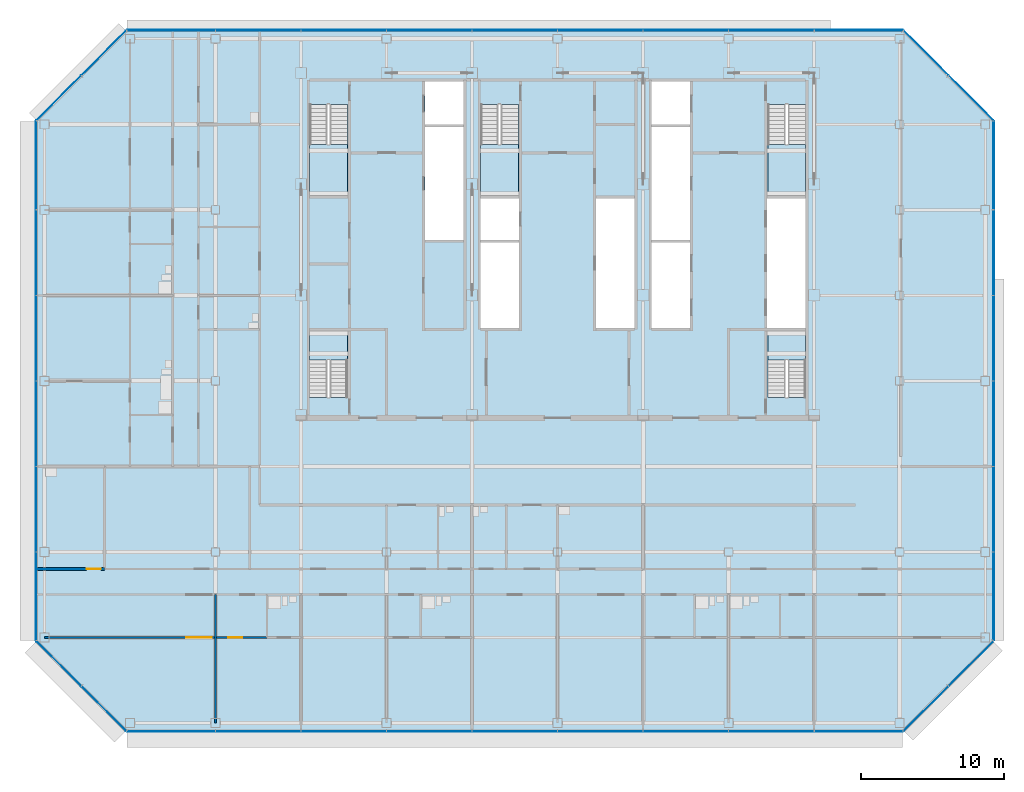
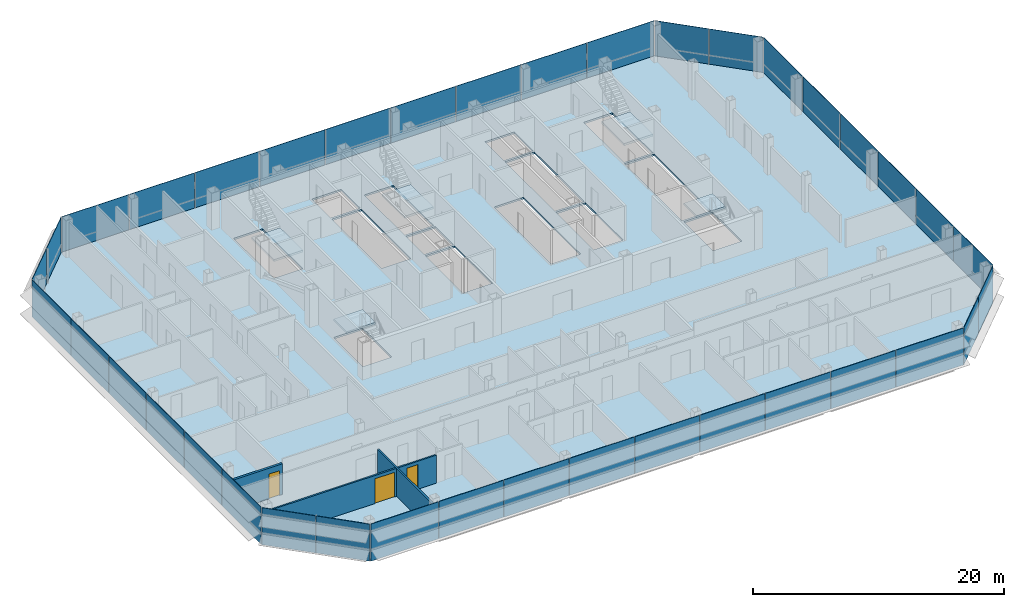
# One storey, part 19 of 27: 38 plates, 6 slabs, 3 doors, 3 walls, 3 openings, 13 elements without a shape of their own.
"""IFC4 building model written with IfcOpenShell, lengths in metres."""

from ifc_helpers import new_model, si_unit, direction, frame, frame_2d, origin, origin_2d, place, context, subcontext, project, spatial, polyline, rectangle, outline, extrude, material, layer, layer_set, type_object, element, fill, aggregate, save


model = new_model("IFC4")

# Units and contexts
model_context = context("Model", 3, precision=1e-05, world=origin(), true_north=direction((0.0, 1.0)))
body_context = subcontext(model_context, "Body", "Model", "MODEL_VIEW")
ifc_project = project(units=[si_unit("LENGTHUNIT", "METRE"), si_unit("AREAUNIT", "SQUARE_METRE"), si_unit("VOLUMEUNIT", "CUBIC_METRE"), si_unit("PLANEANGLEUNIT", "RADIAN"), si_unit("MASSUNIT", "GRAM", prefix="KILO")], contexts=[model_context])

# Site, building, storey
site_placement = place(None, origin())
site = spatial("IfcSite", under=ifc_project, at=site_placement, CompositionType="ELEMENT")
building_placement = place(site_placement, origin())
building = spatial("IfcBuilding", under=site, at=building_placement, Name="Sorahane Residences", CompositionType="ELEMENT")
storey_placement = place(building_placement, frame((0.0, 0.0, 202.800048828125)))
storey = spatial("IfcBuildingStorey", under=building, at=storey_placement, Name="L47", CompositionType="ELEMENT", Elevation=202.800048828125)

# Slab
ifc_material_1 = material(Name="Concrete C35", Category="concrete")
ifc_layer_1 = layer(ifc_material_1, 0.179931640625)
ifc_layer_set_1 = layer_set([ifc_layer_1], Name="Composite floor slab 180 mm Concrete C35")
slab_type_1 = type_object("IfcSlabType", Name="Composite floor slab 180 mm Concrete C35", PredefinedType="FLOOR", material=ifc_layer_set_1)
slab_1_placement = place(storey_placement, frame((0.0, 0.0, -0.179931640625)))
element("IfcSlab", 1, at=slab_1_placement, inside=storey, type_object=slab_type_1, Name="Slab L47", PredefinedType="FLOOR", context=body_context, shape_type="SweptSolid", body=[
    extrude(outline(polyline([(-6.24853515625, -0.60009765625), (-12.60009765625, 5.75146484375), (-12.60009765625, 42.24853515625), (-6.24853515625, 48.60009765625), (48.24853515625, 48.60009765625), (54.60009765625, 42.24853515625), (54.60009765625, 5.75146484375), (48.24853515625, -0.60009765625), (-6.24853515625, -0.60009765625)]), holes=[polyline([(18.60009765625, 27.699951171875), (21.300048828125, 27.699951171875), (21.300048828125, 33.699951171875), (18.60009765625, 33.699951171875), (18.60009765625, 27.699951171875)]), polyline([(38.699951171875, 27.699951171875), (41.39990234375, 27.699951171875), (41.39990234375, 36.800048828125), (38.699951171875, 36.800048828125), (38.699951171875, 27.699951171875)]), polyline([(30.60009765625, 27.699951171875), (33.300048828125, 27.699951171875), (33.300048828125, 33.699951171875), (30.60009765625, 33.699951171875), (30.60009765625, 27.699951171875)]), polyline([(30.60009765625, 42.0), (33.300048828125, 42.0), (33.300048828125, 45.0), (30.60009765625, 45.0), (30.60009765625, 42.0)]), polyline([(14.699951171875, 42.0), (17.39990234375, 42.0), (17.39990234375, 45.0), (14.699951171875, 45.0), (14.699951171875, 42.0)]), polyline([(6.60009765625, 43.39990234375), (6.60009765625, 37.0), (9.25, 37.0), (9.25, 43.39990234375), (6.60009765625, 43.39990234375)]), polyline([(38.75, 43.39990234375), (38.75, 37.0), (41.39990234375, 37.0), (41.39990234375, 43.39990234375), (38.75, 43.39990234375)]), polyline([(18.60009765625, 43.39990234375), (18.60009765625, 37.0), (21.25, 37.0), (21.25, 43.39990234375), (18.60009765625, 43.39990234375)]), polyline([(9.25, 22.85009765625), (9.25, 27.5), (6.60009765625, 27.5), (6.60009765625, 22.85009765625), (9.25, 22.85009765625)]), polyline([(41.39990234375, 22.85009765625), (41.39990234375, 27.5), (38.75, 27.5), (38.75, 22.85009765625), (41.39990234375, 22.85009765625)]), polyline([(14.699951171875, 33.89990234375), (17.39990234375, 33.89990234375), (17.39990234375, 41.800048828125), (14.699951171875, 41.800048828125), (14.699951171875, 33.89990234375)]), polyline([(30.60009765625, 33.89990234375), (33.300048828125, 33.89990234375), (33.300048828125, 41.800048828125), (30.60009765625, 41.800048828125), (30.60009765625, 33.89990234375)]), polyline([(18.60009765625, 33.89990234375), (21.300048828125, 33.89990234375), (21.300048828125, 36.800048828125), (18.60009765625, 36.800048828125), (18.60009765625, 33.89990234375)]), polyline([(26.699951171875, 27.699951171875), (29.39990234375, 27.699951171875), (29.39990234375, 36.800048828125), (26.699951171875, 36.800048828125), (26.699951171875, 27.699951171875)])]), origin(), (0.0, 0.0, 1.0), 0.179931640625),
])

# Curtain wall, plates
ifc_material_2 = material(Name="Dark low-e glass and black anodised aluminium", Category="aluminium")
curtain_wall_type_1 = type_object("IfcCurtainWallType", Name="Curtain wall CW-1 Typical unitised wall", PredefinedType="NOTDEFINED", material=ifc_material_2)
curtain_wall_1_placement = place(storey_placement, origin())
curtain_wall_1 = element("IfcCurtainWall", 2, at=curtain_wall_1_placement, inside=storey, type_object=curtain_wall_type_1, Name="CW-1 curtain wall L47 S1", PredefinedType="NOTDEFINED")
ifc_material_3 = material(Name="Dark low-e glass with black ceramic frit", Category="glass")
ifc_layer_2 = layer(ifc_material_3, 0.0400390625)
ifc_layer_set_2 = layer_set([ifc_layer_2], Name="Curtain wall glass panel dark low-e with black frit spandrel band")
plate_type = type_object("IfcPlateType", Name="Curtain wall glass panel dark low-e with black frit spandrel band", PredefinedType="CURTAIN_PANEL", material=ifc_layer_set_2)
plate_1_placement = place(storey_placement, frame((-3.11181640625, -0.60009765625, -0.18017578125), z_axis=(0.0, 0.0, 1.0), x_axis=(1.0, 0.0, 0.0)))
plate_1 = element("IfcPlate", 3, at=plate_1_placement, type_object=plate_type, Name="CW-1 glass panel L47 S1.1", PredefinedType="CURTAIN_PANEL", context=body_context, shape_type="SweptSolid", body=[
    extrude(rectangle(XDim=6.173583984375, YDim=0.0400390625, at=origin_2d()), origin(), (0.0, 0.0, 1.0), 3.60009765625),
])
plate_2_placement = place(storey_placement, frame((3.0, -0.60009765625, -0.18017578125), z_axis=(0.0, 0.0, 1.0), x_axis=(1.0, 0.0, 0.0)))
plate_2 = element("IfcPlate", 4, at=plate_2_placement, type_object=plate_type, Name="CW-1 glass panel L47 S1.2", PredefinedType="CURTAIN_PANEL", context=body_context, shape_type="SweptSolid", body=[
    extrude(rectangle(XDim=5.949951171875, YDim=0.0400390625, at=origin_2d()), origin(), (0.0, 0.0, 1.0), 3.60009765625),
])
plate_3_placement = place(storey_placement, frame((9.0, -0.60009765625, -0.18017578125), z_axis=(0.0, 0.0, 1.0), x_axis=(1.0, 0.0, 0.0)))
plate_3 = element("IfcPlate", 5, at=plate_3_placement, type_object=plate_type, Name="CW-1 glass panel L47 S1.3", PredefinedType="CURTAIN_PANEL", context=body_context, shape_type="SweptSolid", body=[
    extrude(rectangle(XDim=5.949951171875, YDim=0.0400390625, at=origin_2d()), origin(), (0.0, 0.0, 1.0), 3.60009765625),
])
plate_4_placement = place(storey_placement, frame((15.0, -0.60009765625, -0.18017578125), z_axis=(0.0, 0.0, 1.0), x_axis=(1.0, 0.0, 0.0)))
plate_4 = element("IfcPlate", 6, at=plate_4_placement, type_object=plate_type, Name="CW-1 glass panel L47 S1.4", PredefinedType="CURTAIN_PANEL", context=body_context, shape_type="SweptSolid", body=[
    extrude(rectangle(XDim=5.949951171875, YDim=0.0400390625, at=origin_2d()), origin(), (0.0, 0.0, 1.0), 3.60009765625),
])
plate_5_placement = place(storey_placement, frame((21.0, -0.60009765625, -0.18017578125), z_axis=(0.0, 0.0, 1.0), x_axis=(1.0, 0.0, 0.0)))
plate_5 = element("IfcPlate", 7, at=plate_5_placement, type_object=plate_type, Name="CW-1 glass panel L47 S1.5", PredefinedType="CURTAIN_PANEL", context=body_context, shape_type="SweptSolid", body=[
    extrude(rectangle(XDim=5.949951171875, YDim=0.0400390625, at=origin_2d()), origin(), (0.0, 0.0, 1.0), 3.60009765625),
])
plate_6_placement = place(storey_placement, frame((27.0, -0.60009765625, -0.18017578125), z_axis=(0.0, 0.0, 1.0), x_axis=(1.0, 0.0, 0.0)))
plate_6 = element("IfcPlate", 8, at=plate_6_placement, type_object=plate_type, Name="CW-1 glass panel L47 S1.6", PredefinedType="CURTAIN_PANEL", context=body_context, shape_type="SweptSolid", body=[
    extrude(rectangle(XDim=5.949951171875, YDim=0.0400390625, at=origin_2d()), origin(), (0.0, 0.0, 1.0), 3.60009765625),
])
plate_7_placement = place(storey_placement, frame((33.0, -0.60009765625, -0.18017578125), z_axis=(0.0, 0.0, 1.0), x_axis=(1.0, 0.0, 0.0)))
plate_7 = element("IfcPlate", 9, at=plate_7_placement, type_object=plate_type, Name="CW-1 glass panel L47 S1.7", PredefinedType="CURTAIN_PANEL", context=body_context, shape_type="SweptSolid", body=[
    extrude(rectangle(XDim=5.949951171875, YDim=0.0400390625, at=origin_2d()), origin(), (0.0, 0.0, 1.0), 3.60009765625),
])
plate_8_placement = place(storey_placement, frame((39.0, -0.60009765625, -0.18017578125), z_axis=(0.0, 0.0, 1.0), x_axis=(1.0, 0.0, 0.0)))
plate_8 = element("IfcPlate", 10, at=plate_8_placement, type_object=plate_type, Name="CW-1 glass panel L47 S1.8", PredefinedType="CURTAIN_PANEL", context=body_context, shape_type="SweptSolid", body=[
    extrude(rectangle(XDim=5.949951171875, YDim=0.0400390625, at=origin_2d()), origin(), (0.0, 0.0, 1.0), 3.60009765625),
])
plate_9_placement = place(storey_placement, frame((45.11181640625, -0.60009765625, -0.18017578125), z_axis=(0.0, 0.0, 1.0), x_axis=(1.0, 0.0, 0.0)))
plate_9 = element("IfcPlate", 11, at=plate_9_placement, type_object=plate_type, Name="CW-1 glass panel L47 S1.9", PredefinedType="CURTAIN_PANEL", context=body_context, shape_type="SweptSolid", body=[
    extrude(rectangle(XDim=6.173583984375, YDim=0.0400390625, at=origin_2d()), origin(), (0.0, 0.0, 1.0), 3.60009765625),
])
aggregate(curtain_wall_1, [plate_1, plate_2, plate_3, plate_4, plate_5, plate_6, plate_7, plate_8, plate_9])

ifc_material_4 = material(Name="Dark low-e glass and black anodised aluminium", Category="aluminium")
curtain_wall_type_2 = type_object("IfcCurtainWallType", Name="Curtain wall CW-2 Chamfer unitised wall", PredefinedType="NOTDEFINED", material=ifc_material_4)
curtain_wall_2_placement = place(storey_placement, origin())
curtain_wall_2 = element("IfcCurtainWall", 12, at=curtain_wall_2_placement, inside=storey, type_object=curtain_wall_type_2, Name="CW-2 curtain wall L47 SE1", PredefinedType="NOTDEFINED")
plate_10_placement = place(storey_placement, frame((49.84521484375, 0.996826171875, -0.18017578125), z_axis=(0.0, 0.0, 1.0), x_axis=(0.707106781187, 0.707106781187, 0.0)))
plate_10 = element("IfcPlate", 13, at=plate_10_placement, type_object=plate_type, Name="CW-2 glass panel L47 SE1.1", PredefinedType="CURTAIN_PANEL", context=body_context, shape_type="SweptSolid", body=[
    extrude(rectangle(XDim=4.416259765625, YDim=0.0400390625, at=origin_2d()), origin(), (0.0, 0.0, 1.0), 3.60009765625),
])
plate_11_placement = place(storey_placement, frame((53.003173828125, 4.15478515625, -0.18017578125), z_axis=(0.0, 0.0, 1.0), x_axis=(0.707106781187, 0.707106781187, 0.0)))
plate_11 = element("IfcPlate", 14, at=plate_11_placement, type_object=plate_type, Name="CW-2 glass panel L47 SE1.2", PredefinedType="CURTAIN_PANEL", context=body_context, shape_type="SweptSolid", body=[
    extrude(rectangle(XDim=4.416259765625, YDim=0.0400390625, at=origin_2d()), origin(), (0.0, 0.0, 1.0), 3.60009765625),
])
aggregate(curtain_wall_2, [plate_10, plate_11])

curtain_wall_3_placement = place(storey_placement, origin())
curtain_wall_3 = element("IfcCurtainWall", 15, at=curtain_wall_3_placement, inside=storey, type_object=curtain_wall_type_1, Name="CW-1 curtain wall L47 E1", PredefinedType="NOTDEFINED")
plate_12_placement = place(storey_placement, frame((54.60009765625, 8.88818359375, -0.18017578125), z_axis=(0.0, 0.0, 1.0), x_axis=(0.0, 1.0, 0.0)))
plate_12 = element("IfcPlate", 16, at=plate_12_placement, type_object=plate_type, Name="CW-1 glass panel L47 E1.1", PredefinedType="CURTAIN_PANEL", context=body_context, shape_type="SweptSolid", body=[
    extrude(rectangle(XDim=6.173583984375, YDim=0.0400390625, at=origin_2d()), origin(), (0.0, 0.0, 1.0), 3.60009765625),
])
plate_13_placement = place(storey_placement, frame((54.60009765625, 15.0, -0.18017578125), z_axis=(0.0, 0.0, 1.0), x_axis=(0.0, 1.0, 0.0)))
plate_13 = element("IfcPlate", 17, at=plate_13_placement, type_object=plate_type, Name="CW-1 glass panel L47 E1.2", PredefinedType="CURTAIN_PANEL", context=body_context, shape_type="SweptSolid", body=[
    extrude(rectangle(XDim=5.949951171875, YDim=0.0400390625, at=origin_2d()), origin(), (0.0, 0.0, 1.0), 3.60009765625),
])
plate_14_placement = place(storey_placement, frame((54.60009765625, 21.0, -0.18017578125), z_axis=(0.0, 0.0, 1.0), x_axis=(0.0, 1.0, 0.0)))
plate_14 = element("IfcPlate", 18, at=plate_14_placement, type_object=plate_type, Name="CW-1 glass panel L47 E1.3", PredefinedType="CURTAIN_PANEL", context=body_context, shape_type="SweptSolid", body=[
    extrude(rectangle(XDim=5.949951171875, YDim=0.0400390625, at=origin_2d()), origin(), (0.0, 0.0, 1.0), 3.60009765625),
])
plate_15_placement = place(storey_placement, frame((54.60009765625, 27.0, -0.18017578125), z_axis=(0.0, 0.0, 1.0), x_axis=(0.0, 1.0, 0.0)))
plate_15 = element("IfcPlate", 19, at=plate_15_placement, type_object=plate_type, Name="CW-1 glass panel L47 E1.4", PredefinedType="CURTAIN_PANEL", context=body_context, shape_type="SweptSolid", body=[
    extrude(rectangle(XDim=5.949951171875, YDim=0.0400390625, at=origin_2d()), origin(), (0.0, 0.0, 1.0), 3.60009765625),
])
plate_16_placement = place(storey_placement, frame((54.60009765625, 33.0, -0.18017578125), z_axis=(0.0, 0.0, 1.0), x_axis=(0.0, 1.0, 0.0)))
plate_16 = element("IfcPlate", 20, at=plate_16_placement, type_object=plate_type, Name="CW-1 glass panel L47 E1.5", PredefinedType="CURTAIN_PANEL", context=body_context, shape_type="SweptSolid", body=[
    extrude(rectangle(XDim=5.949951171875, YDim=0.0400390625, at=origin_2d()), origin(), (0.0, 0.0, 1.0), 3.60009765625),
])
plate_17_placement = place(storey_placement, frame((54.60009765625, 39.11181640625, -0.18017578125), z_axis=(0.0, 0.0, 1.0), x_axis=(0.0, 1.0, 0.0)))
plate_17 = element("IfcPlate", 21, at=plate_17_placement, type_object=plate_type, Name="CW-1 glass panel L47 E1.6", PredefinedType="CURTAIN_PANEL", context=body_context, shape_type="SweptSolid", body=[
    extrude(rectangle(XDim=6.173583984375, YDim=0.0400390625, at=origin_2d()), origin(), (0.0, 0.0, 1.0), 3.60009765625),
])
aggregate(curtain_wall_3, [plate_12, plate_13, plate_14, plate_15, plate_16, plate_17])

curtain_wall_4_placement = place(storey_placement, origin())
curtain_wall_4 = element("IfcCurtainWall", 22, at=curtain_wall_4_placement, inside=storey, type_object=curtain_wall_type_2, Name="CW-2 curtain wall L47 NE1", PredefinedType="NOTDEFINED")
plate_18_placement = place(storey_placement, frame((53.003173828125, 43.84521484375, -0.18017578125), z_axis=(0.0, 0.0, 1.0), x_axis=(-0.707106781187, 0.707106781187, 0.0)))
plate_18 = element("IfcPlate", 23, at=plate_18_placement, type_object=plate_type, Name="CW-2 glass panel L47 NE1.1", PredefinedType="CURTAIN_PANEL", context=body_context, shape_type="SweptSolid", body=[
    extrude(rectangle(XDim=4.416259765625, YDim=0.0400390625, at=origin_2d()), origin(), (0.0, 0.0, 1.0), 3.60009765625),
])
plate_19_placement = place(storey_placement, frame((49.84521484375, 47.003173828125, -0.18017578125), z_axis=(0.0, 0.0, 1.0), x_axis=(-0.707106781187, 0.707106781187, 0.0)))
plate_19 = element("IfcPlate", 24, at=plate_19_placement, type_object=plate_type, Name="CW-2 glass panel L47 NE1.2", PredefinedType="CURTAIN_PANEL", context=body_context, shape_type="SweptSolid", body=[
    extrude(rectangle(XDim=4.416259765625, YDim=0.0400390625, at=origin_2d()), origin(), (0.0, 0.0, 1.0), 3.60009765625),
])
aggregate(curtain_wall_4, [plate_18, plate_19])

curtain_wall_5_placement = place(storey_placement, origin())
curtain_wall_5 = element("IfcCurtainWall", 25, at=curtain_wall_5_placement, inside=storey, type_object=curtain_wall_type_1, Name="CW-1 curtain wall L47 N1", PredefinedType="NOTDEFINED")
plate_20_placement = place(storey_placement, frame((45.11181640625, 48.60009765625, -0.18017578125), z_axis=(0.0, 0.0, 1.0), x_axis=(-1.0, 0.0, 0.0)))
plate_20 = element("IfcPlate", 26, at=plate_20_placement, type_object=plate_type, Name="CW-1 glass panel L47 N1.1", PredefinedType="CURTAIN_PANEL", context=body_context, shape_type="SweptSolid", body=[
    extrude(rectangle(XDim=6.173583984375, YDim=0.0400390625, at=origin_2d()), origin(), (0.0, 0.0, 1.0), 3.60009765625),
])
plate_21_placement = place(storey_placement, frame((39.0, 48.60009765625, -0.18017578125), z_axis=(0.0, 0.0, 1.0), x_axis=(-1.0, 0.0, 0.0)))
plate_21 = element("IfcPlate", 27, at=plate_21_placement, type_object=plate_type, Name="CW-1 glass panel L47 N1.2", PredefinedType="CURTAIN_PANEL", context=body_context, shape_type="SweptSolid", body=[
    extrude(rectangle(XDim=5.949951171875, YDim=0.0400390625, at=origin_2d()), origin(), (0.0, 0.0, 1.0), 3.60009765625),
])
plate_22_placement = place(storey_placement, frame((33.0, 48.60009765625, -0.18017578125), z_axis=(0.0, 0.0, 1.0), x_axis=(-1.0, 0.0, 0.0)))
plate_22 = element("IfcPlate", 28, at=plate_22_placement, type_object=plate_type, Name="CW-1 glass panel L47 N1.3", PredefinedType="CURTAIN_PANEL", context=body_context, shape_type="SweptSolid", body=[
    extrude(rectangle(XDim=5.949951171875, YDim=0.0400390625, at=origin_2d()), origin(), (0.0, 0.0, 1.0), 3.60009765625),
])
plate_23_placement = place(storey_placement, frame((27.0, 48.60009765625, -0.18017578125), z_axis=(0.0, 0.0, 1.0), x_axis=(-1.0, 0.0, 0.0)))
plate_23 = element("IfcPlate", 29, at=plate_23_placement, type_object=plate_type, Name="CW-1 glass panel L47 N1.4", PredefinedType="CURTAIN_PANEL", context=body_context, shape_type="SweptSolid", body=[
    extrude(rectangle(XDim=5.949951171875, YDim=0.0400390625, at=origin_2d()), origin(), (0.0, 0.0, 1.0), 3.60009765625),
])
plate_24_placement = place(storey_placement, frame((21.0, 48.60009765625, -0.18017578125), z_axis=(0.0, 0.0, 1.0), x_axis=(-1.0, 0.0, 0.0)))
plate_24 = element("IfcPlate", 30, at=plate_24_placement, type_object=plate_type, Name="CW-1 glass panel L47 N1.5", PredefinedType="CURTAIN_PANEL", context=body_context, shape_type="SweptSolid", body=[
    extrude(rectangle(XDim=5.949951171875, YDim=0.0400390625, at=origin_2d()), origin(), (0.0, 0.0, 1.0), 3.60009765625),
])
plate_25_placement = place(storey_placement, frame((15.0, 48.60009765625, -0.18017578125), z_axis=(0.0, 0.0, 1.0), x_axis=(-1.0, 0.0, 0.0)))
plate_25 = element("IfcPlate", 31, at=plate_25_placement, type_object=plate_type, Name="CW-1 glass panel L47 N1.6", PredefinedType="CURTAIN_PANEL", context=body_context, shape_type="SweptSolid", body=[
    extrude(rectangle(XDim=5.949951171875, YDim=0.0400390625, at=origin_2d()), origin(), (0.0, 0.0, 1.0), 3.60009765625),
])
plate_26_placement = place(storey_placement, frame((9.0, 48.60009765625, -0.18017578125), z_axis=(0.0, 0.0, 1.0), x_axis=(-1.0, 0.0, 0.0)))
plate_26 = element("IfcPlate", 32, at=plate_26_placement, type_object=plate_type, Name="CW-1 glass panel L47 N1.7", PredefinedType="CURTAIN_PANEL", context=body_context, shape_type="SweptSolid", body=[
    extrude(rectangle(XDim=5.949951171875, YDim=0.0400390625, at=origin_2d()), origin(), (0.0, 0.0, 1.0), 3.60009765625),
])
plate_27_placement = place(storey_placement, frame((3.0, 48.60009765625, -0.18017578125), z_axis=(0.0, 0.0, 1.0), x_axis=(-1.0, 0.0, 0.0)))
plate_27 = element("IfcPlate", 33, at=plate_27_placement, type_object=plate_type, Name="CW-1 glass panel L47 N1.8", PredefinedType="CURTAIN_PANEL", context=body_context, shape_type="SweptSolid", body=[
    extrude(rectangle(XDim=5.949951171875, YDim=0.0400390625, at=origin_2d()), origin(), (0.0, 0.0, 1.0), 3.60009765625),
])
plate_28_placement = place(storey_placement, frame((-3.11181640625, 48.60009765625, -0.18017578125), z_axis=(0.0, 0.0, 1.0), x_axis=(-1.0, 0.0, 0.0)))
plate_28 = element("IfcPlate", 34, at=plate_28_placement, type_object=plate_type, Name="CW-1 glass panel L47 N1.9", PredefinedType="CURTAIN_PANEL", context=body_context, shape_type="SweptSolid", body=[
    extrude(rectangle(XDim=6.173583984375, YDim=0.0400390625, at=origin_2d()), origin(), (0.0, 0.0, 1.0), 3.60009765625),
])
aggregate(curtain_wall_5, [plate_20, plate_21, plate_22, plate_23, plate_24, plate_25, plate_26, plate_27, plate_28])

curtain_wall_6_placement = place(storey_placement, origin())
curtain_wall_6 = element("IfcCurtainWall", 35, at=curtain_wall_6_placement, inside=storey, type_object=curtain_wall_type_2, Name="CW-2 curtain wall L47 NW1", PredefinedType="NOTDEFINED")
plate_29_placement = place(storey_placement, frame((-7.84521484375, 47.003173828125, -0.18017578125), z_axis=(0.0, 0.0, 1.0), x_axis=(-0.707106781187, -0.707106781187, 0.0)))
plate_29 = element("IfcPlate", 36, at=plate_29_placement, type_object=plate_type, Name="CW-2 glass panel L47 NW1.1", PredefinedType="CURTAIN_PANEL", context=body_context, shape_type="SweptSolid", body=[
    extrude(rectangle(XDim=4.416259765625, YDim=0.0400390625, at=origin_2d()), origin(), (0.0, 0.0, 1.0), 3.60009765625),
])
plate_30_placement = place(storey_placement, frame((-11.003173828125, 43.84521484375, -0.18017578125), z_axis=(0.0, 0.0, 1.0), x_axis=(-0.707106781187, -0.707106781187, 0.0)))
plate_30 = element("IfcPlate", 37, at=plate_30_placement, type_object=plate_type, Name="CW-2 glass panel L47 NW1.2", PredefinedType="CURTAIN_PANEL", context=body_context, shape_type="SweptSolid", body=[
    extrude(rectangle(XDim=4.416259765625, YDim=0.0400390625, at=origin_2d()), origin(), (0.0, 0.0, 1.0), 3.60009765625),
])
aggregate(curtain_wall_6, [plate_29, plate_30])

curtain_wall_7_placement = place(storey_placement, origin())
curtain_wall_7 = element("IfcCurtainWall", 38, at=curtain_wall_7_placement, inside=storey, type_object=curtain_wall_type_1, Name="CW-1 curtain wall L47 W1", PredefinedType="NOTDEFINED")
plate_31_placement = place(storey_placement, frame((-12.60009765625, 39.11181640625, -0.18017578125), z_axis=(0.0, 0.0, 1.0), x_axis=(0.0, -1.0, 0.0)))
plate_31 = element("IfcPlate", 39, at=plate_31_placement, type_object=plate_type, Name="CW-1 glass panel L47 W1.1", PredefinedType="CURTAIN_PANEL", context=body_context, shape_type="SweptSolid", body=[
    extrude(rectangle(XDim=6.173583984375, YDim=0.0400390625, at=origin_2d()), origin(), (0.0, 0.0, 1.0), 3.60009765625),
])
plate_32_placement = place(storey_placement, frame((-12.60009765625, 33.0, -0.18017578125), z_axis=(0.0, 0.0, 1.0), x_axis=(0.0, -1.0, 0.0)))
plate_32 = element("IfcPlate", 40, at=plate_32_placement, type_object=plate_type, Name="CW-1 glass panel L47 W1.2", PredefinedType="CURTAIN_PANEL", context=body_context, shape_type="SweptSolid", body=[
    extrude(rectangle(XDim=5.949951171875, YDim=0.0400390625, at=origin_2d()), origin(), (0.0, 0.0, 1.0), 3.60009765625),
])
plate_33_placement = place(storey_placement, frame((-12.60009765625, 27.0, -0.18017578125), z_axis=(0.0, 0.0, 1.0), x_axis=(0.0, -1.0, 0.0)))
plate_33 = element("IfcPlate", 41, at=plate_33_placement, type_object=plate_type, Name="CW-1 glass panel L47 W1.3", PredefinedType="CURTAIN_PANEL", context=body_context, shape_type="SweptSolid", body=[
    extrude(rectangle(XDim=5.949951171875, YDim=0.0400390625, at=origin_2d()), origin(), (0.0, 0.0, 1.0), 3.60009765625),
])
plate_34_placement = place(storey_placement, frame((-12.60009765625, 21.0, -0.18017578125), z_axis=(0.0, 0.0, 1.0), x_axis=(0.0, -1.0, 0.0)))
plate_34 = element("IfcPlate", 42, at=plate_34_placement, type_object=plate_type, Name="CW-1 glass panel L47 W1.4", PredefinedType="CURTAIN_PANEL", context=body_context, shape_type="SweptSolid", body=[
    extrude(rectangle(XDim=5.949951171875, YDim=0.0400390625, at=origin_2d()), origin(), (0.0, 0.0, 1.0), 3.60009765625),
])
plate_35_placement = place(storey_placement, frame((-12.60009765625, 15.0, -0.18017578125), z_axis=(0.0, 0.0, 1.0), x_axis=(0.0, -1.0, 0.0)))
plate_35 = element("IfcPlate", 43, at=plate_35_placement, type_object=plate_type, Name="CW-1 glass panel L47 W1.5", PredefinedType="CURTAIN_PANEL", context=body_context, shape_type="SweptSolid", body=[
    extrude(rectangle(XDim=5.949951171875, YDim=0.0400390625, at=origin_2d()), origin(), (0.0, 0.0, 1.0), 3.60009765625),
])
plate_36_placement = place(storey_placement, frame((-12.60009765625, 8.88818359375, -0.18017578125), z_axis=(0.0, 0.0, 1.0), x_axis=(0.0, -1.0, 0.0)))
plate_36 = element("IfcPlate", 44, at=plate_36_placement, type_object=plate_type, Name="CW-1 glass panel L47 W1.6", PredefinedType="CURTAIN_PANEL", context=body_context, shape_type="SweptSolid", body=[
    extrude(rectangle(XDim=6.173583984375, YDim=0.0400390625, at=origin_2d()), origin(), (0.0, 0.0, 1.0), 3.60009765625),
])
aggregate(curtain_wall_7, [plate_31, plate_32, plate_33, plate_34, plate_35, plate_36])

curtain_wall_8_placement = place(storey_placement, origin())
curtain_wall_8 = element("IfcCurtainWall", 45, at=curtain_wall_8_placement, inside=storey, type_object=curtain_wall_type_2, Name="CW-2 curtain wall L47 SW1", PredefinedType="NOTDEFINED")
plate_37_placement = place(storey_placement, frame((-11.003173828125, 4.15478515625, -0.18017578125), z_axis=(0.0, 0.0, 1.0), x_axis=(0.707106781187, -0.707106781187, 0.0)))
plate_37 = element("IfcPlate", 46, at=plate_37_placement, type_object=plate_type, Name="CW-2 glass panel L47 SW1.1", PredefinedType="CURTAIN_PANEL", context=body_context, shape_type="SweptSolid", body=[
    extrude(rectangle(XDim=4.416259765625, YDim=0.0400390625, at=origin_2d()), origin(), (0.0, 0.0, 1.0), 3.60009765625),
])
plate_38_placement = place(storey_placement, frame((-7.84521484375, 0.996826171875, -0.18017578125), z_axis=(0.0, 0.0, 1.0), x_axis=(0.707106781187, -0.707106781187, 0.0)))
plate_38 = element("IfcPlate", 47, at=plate_38_placement, type_object=plate_type, Name="CW-2 glass panel L47 SW1.2", PredefinedType="CURTAIN_PANEL", context=body_context, shape_type="SweptSolid", body=[
    extrude(rectangle(XDim=4.416259765625, YDim=0.0400390625, at=origin_2d()), origin(), (0.0, 0.0, 1.0), 3.60009765625),
])
aggregate(curtain_wall_8, [plate_37, plate_38])

# Stair, slab
ifc_material_5 = material(Name="Concrete C40", Category="concrete")
stair_type = type_object("IfcStairType", Name="Dog-leg stair 1250 Concrete C40", PredefinedType="HALF_TURN_STAIR", material=ifc_material_5)
stair_1_placement = place(storey_placement, origin())
stair_1 = element("IfcStair", 48, at=stair_1_placement, inside=storey, type_object=stair_type, Name="L47 Stair S1", PredefinedType="HALF_TURN_STAIR")
ifc_material_6 = material(Name="Concrete C40", Category="concrete")
ifc_layer_3 = layer(ifc_material_6, 0.199951171875)
ifc_layer_set_3 = layer_set([ifc_layer_3], Name="Stair landing 200 Concrete C40")
slab_type_2 = type_object("IfcSlabType", Name="Stair landing 200 Concrete C40", PredefinedType="LANDING", material=ifc_layer_set_3)
slab_2_placement = place(storey_placement, frame((0.0, 0.0, 1.599853515625)))
slab_2 = element("IfcSlab", 49, at=slab_2_placement, type_object=slab_type_2, Name="S1 landing 1", PredefinedType="LANDING", context=body_context, shape_type="SweptSolid", body=[
    extrude(outline(polyline([(6.60009765625, 40.60009765625), (6.60009765625, 37.0), (9.25, 37.0), (9.25, 40.60009765625), (6.60009765625, 40.60009765625)])), origin(), (0.0, 0.0, 1.0), 0.2001953125),
])
aggregate(stair_1, [slab_2])

stair_2_placement = place(storey_placement, origin())
stair_2 = element("IfcStair", 50, at=stair_2_placement, inside=storey, type_object=stair_type, Name="L47 Stair S2", PredefinedType="HALF_TURN_STAIR")
slab_3_placement = place(storey_placement, frame((0.0, 0.0, 1.599853515625)))
slab_3 = element("IfcSlab", 51, at=slab_3_placement, type_object=slab_type_2, Name="S2 landing 1", PredefinedType="LANDING", context=body_context, shape_type="SweptSolid", body=[
    extrude(outline(polyline([(38.75, 40.60009765625), (38.75, 37.0), (41.39990234375, 37.0), (41.39990234375, 40.60009765625), (38.75, 40.60009765625)])), origin(), (0.0, 0.0, 1.0), 0.2001953125),
])
aggregate(stair_2, [slab_3])

stair_3_placement = place(storey_placement, origin())
stair_3 = element("IfcStair", 52, at=stair_3_placement, inside=storey, type_object=stair_type, Name="L47 Stair S3", PredefinedType="HALF_TURN_STAIR")
slab_4_placement = place(storey_placement, frame((0.0, 0.0, 1.599853515625)))
slab_4 = element("IfcSlab", 53, at=slab_4_placement, type_object=slab_type_2, Name="S3 landing 1", PredefinedType="LANDING", context=body_context, shape_type="SweptSolid", body=[
    extrude(outline(polyline([(18.60009765625, 40.60009765625), (18.60009765625, 37.0), (21.25, 37.0), (21.25, 40.60009765625), (18.60009765625, 40.60009765625)])), origin(), (0.0, 0.0, 1.0), 0.2001953125),
])
aggregate(stair_3, [slab_4])

stair_4_placement = place(storey_placement, origin())
stair_4 = element("IfcStair", 54, at=stair_4_placement, inside=storey, type_object=stair_type, Name="L47 Stair S4", PredefinedType="HALF_TURN_STAIR")
slab_5_placement = place(storey_placement, frame((0.0, 0.0, 1.599853515625)))
slab_5 = element("IfcSlab", 55, at=slab_5_placement, type_object=slab_type_2, Name="S4 landing 1", PredefinedType="LANDING", context=body_context, shape_type="SweptSolid", body=[
    extrude(outline(polyline([(9.25, 25.449951171875), (9.25, 27.5), (6.60009765625, 27.5), (6.60009765625, 25.449951171875), (9.25, 25.449951171875)])), origin(), (0.0, 0.0, 1.0), 0.2001953125),
])
aggregate(stair_4, [slab_5])

stair_5_placement = place(storey_placement, origin())
stair_5 = element("IfcStair", 56, at=stair_5_placement, inside=storey, type_object=stair_type, Name="L47 Stair S5", PredefinedType="HALF_TURN_STAIR")
slab_6_placement = place(storey_placement, frame((0.0, 0.0, 1.599853515625)))
slab_6 = element("IfcSlab", 57, at=slab_6_placement, type_object=slab_type_2, Name="S5 landing 1", PredefinedType="LANDING", context=body_context, shape_type="SweptSolid", body=[
    extrude(outline(polyline([(41.39990234375, 25.449951171875), (41.39990234375, 27.5), (38.75, 27.5), (38.75, 25.449951171875), (41.39990234375, 25.449951171875)])), origin(), (0.0, 0.0, 1.0), 0.2001953125),
])
aggregate(stair_5, [slab_6])

# Wall, opening, door
ifc_material_7 = material(Name="Concrete blockwork C20 wall", Category="masonry")
ifc_layer_4 = layer(ifc_material_7, 0.199951171875)
ifc_layer_set_4 = layer_set([ifc_layer_4], Name="Kitchen wall 200 EI 180")
wall_type_1 = type_object("IfcWallType", Name="Kitchen wall 200 EI 180", PredefinedType="SOLIDWALL", material=ifc_layer_set_4)
wall_1_placement = place(storey_placement, frame((-12.60009765625, 10.800048828125, 0.0), z_axis=(0.0, 0.0, 1.0), x_axis=(1.0, 0.0, 0.0)))
wall_1 = element("IfcWall", 58, at=wall_1_placement, inside=storey, type_object=wall_type_1, Name="L47 kitchen wall", PredefinedType="SOLIDWALL", context=body_context, shape_type="SweptSolid", body=[
    extrude(rectangle(XDim=4.800048828125, YDim=0.199951171875, at=frame_2d((2.39990234375, 0.0))), origin(), (0.0, 0.0, 1.0), 2.969970703125),
])
opening_1_placement = place(wall_1_placement, frame((3.550048828125, 0.0, 0.0)))
opening_1 = element("IfcOpeningElement", 59, at=opening_1_placement, cuts=wall_1, Name="Opening L47-02", PredefinedType="OPENING", context=body_context, shape_type="SweptSolid", body=[
    extrude(rectangle(XDim=1.0, YDim=2.39990234375, at=frame_2d((0.5, 1.199951171875))), frame((0.0, 0.10986328125, 0.0), z_axis=(0.0, -1.0, 0.0), x_axis=(1.0, 0.0, 0.0)), (0.0, 0.0, 1.0), 0.219970703125),
])
ifc_material_8 = material(Name="Steel", Category="steel")
door_type_1 = type_object("IfcDoorType", Name="Kitchen door 1000x2400 FD120", OperationType="NOTDEFINED", PredefinedType="DOOR", material=ifc_material_8)
door_1_placement = place(opening_1_placement, origin())
door_1 = element("IfcDoor", 60, at=door_1_placement, inside=storey, type_object=door_type_1, Name="Kitchen door L47-02", OperationType="SINGLE_SWING_LEFT", OverallHeight=2.39990234375, OverallWidth=1.0, PredefinedType="DOOR", context=body_context, shape_type="SweptSolid", body=[
    extrude(rectangle(XDim=1.0, YDim=2.39990234375, at=frame_2d((0.5, 1.199951171875))), frame((0.0, 0.02490234375, 0.0), z_axis=(0.0, -1.0, 0.0), x_axis=(1.0, 0.0, 0.0)), (0.0, 0.0, 1.0), 0.050048828125),
])
fill(opening_1, door_1)

# Wall
ifc_material_9 = material(Name="Gypsum board partition on steel studs", Category="steel")
ifc_layer_5 = layer(ifc_material_9, 0.14990234375)
ifc_layer_set_5 = layer_set([ifc_layer_5], Name="Partition 150 EI 90")
wall_type_2 = type_object("IfcWallType", Name="Partition 150 EI 90", PredefinedType="PARTITIONING", material=ifc_layer_set_5)
wall_2_placement = place(storey_placement, frame((0.0, 0.0, 0.0), z_axis=(0.0, 0.0, 1.0), x_axis=(0.0, 1.0, 0.0)))
element("IfcWall", 61, at=wall_2_placement, inside=storey, type_object=wall_type_2, Name="L47 partition", PredefinedType="PARTITIONING", context=body_context, shape_type="SweptSolid", body=[
    extrude(rectangle(XDim=9.0, YDim=0.14990234375, at=frame_2d((4.5, 0.0))), origin(), (0.0, 0.0, 1.0), 2.719970703125),
])

# Wall, openings, doors
wall_3_placement = place(storey_placement, frame((-12.0, 6.0, 0.0), z_axis=(0.0, 0.0, 1.0), x_axis=(1.0, 0.0, 0.0)))
wall_3 = element("IfcWall", 62, at=wall_3_placement, inside=storey, type_object=wall_type_2, Name="L47 partition", PredefinedType="PARTITIONING", context=body_context, shape_type="SweptSolid", body=[
    extrude(rectangle(XDim=15.60009765625, YDim=0.14990234375, at=frame_2d((7.800048828125, 0.0))), origin(), (0.0, 0.0, 1.0), 2.719970703125),
])
opening_2_placement = place(wall_3_placement, frame((9.949951171875, 0.0, 0.0)))
opening_2 = element("IfcOpeningElement", 63, at=opening_2_placement, cuts=wall_3, Name="Opening L47-10", PredefinedType="OPENING", context=body_context, shape_type="SweptSolid", body=[
    extrude(rectangle(XDim=1.800048828125, YDim=2.39990234375, at=frame_2d((0.89990234375, 1.199951171875))), frame((0.0, 0.0849609375, 0.0), z_axis=(0.0, -1.0, 0.0), x_axis=(1.0, 0.0, 0.0)), (0.0, 0.0, 1.0), 0.169921875),
])
opening_3_placement = place(wall_3_placement, frame((12.8798828125, 0.0, 0.0)))
opening_3 = element("IfcOpeningElement", 64, at=opening_3_placement, cuts=wall_3, Name="Opening L47-11", PredefinedType="OPENING", context=body_context, shape_type="SweptSolid", body=[
    extrude(rectangle(XDim=1.0, YDim=2.39990234375, at=frame_2d((0.5, 1.199951171875))), frame((0.0, 0.0849609375, 0.0), z_axis=(0.0, -1.0, 0.0), x_axis=(1.0, 0.0, 0.0)), (0.0, 0.0, 1.0), 0.169921875),
])
ifc_material_10 = material(Name="Timber veneered fire door", Category="wood")
door_type_2 = type_object("IfcDoorType", Name="Double door 1800x2400 FD30", OperationType="NOTDEFINED", PredefinedType="DOOR", material=ifc_material_10)
door_2_placement = place(opening_2_placement, frame((1.800048828125, 0.0, 0.0), z_axis=(0.0, 0.0, 1.0), x_axis=(-1.0, 0.0, 0.0)))
door_2 = element("IfcDoor", 65, at=door_2_placement, inside=storey, type_object=door_type_2, Name="Double door L47-10", OperationType="SINGLE_SWING_LEFT", OverallHeight=2.39990234375, OverallWidth=1.800048828125, PredefinedType="DOOR", context=body_context, shape_type="SweptSolid", body=[
    extrude(rectangle(XDim=1.800048828125, YDim=2.39990234375, at=frame_2d((0.89990234375, 1.199951171875))), frame((0.0, 0.02490234375, 0.0), z_axis=(0.0, -1.0, 0.0), x_axis=(1.0, 0.0, 0.0)), (0.0, 0.0, 1.0), 0.050048828125),
])
fill(opening_2, door_2)
ifc_material_11 = material(Name="Timber veneered fire door", Category="wood")
door_type_3 = type_object("IfcDoorType", Name="Room door 1000x2400 FD30", OperationType="NOTDEFINED", PredefinedType="DOOR", material=ifc_material_11)
door_3_placement = place(opening_3_placement, frame((1.0, 0.0, 0.0), z_axis=(0.0, 0.0, 1.0), x_axis=(-1.0, 0.0, 0.0)))
door_3 = element("IfcDoor", 66, at=door_3_placement, inside=storey, type_object=door_type_3, Name="Room door L47-11", OperationType="SINGLE_SWING_LEFT", OverallHeight=2.39990234375, OverallWidth=1.0, PredefinedType="DOOR", context=body_context, shape_type="SweptSolid", body=[
    extrude(rectangle(XDim=1.0, YDim=2.39990234375, at=frame_2d((0.5, 1.199951171875))), frame((0.0, 0.02490234375, 0.0), z_axis=(0.0, -1.0, 0.0), x_axis=(1.0, 0.0, 0.0)), (0.0, 0.0, 1.0), 0.050048828125),
])
fill(opening_3, door_3)

save(model, "model.ifc")
